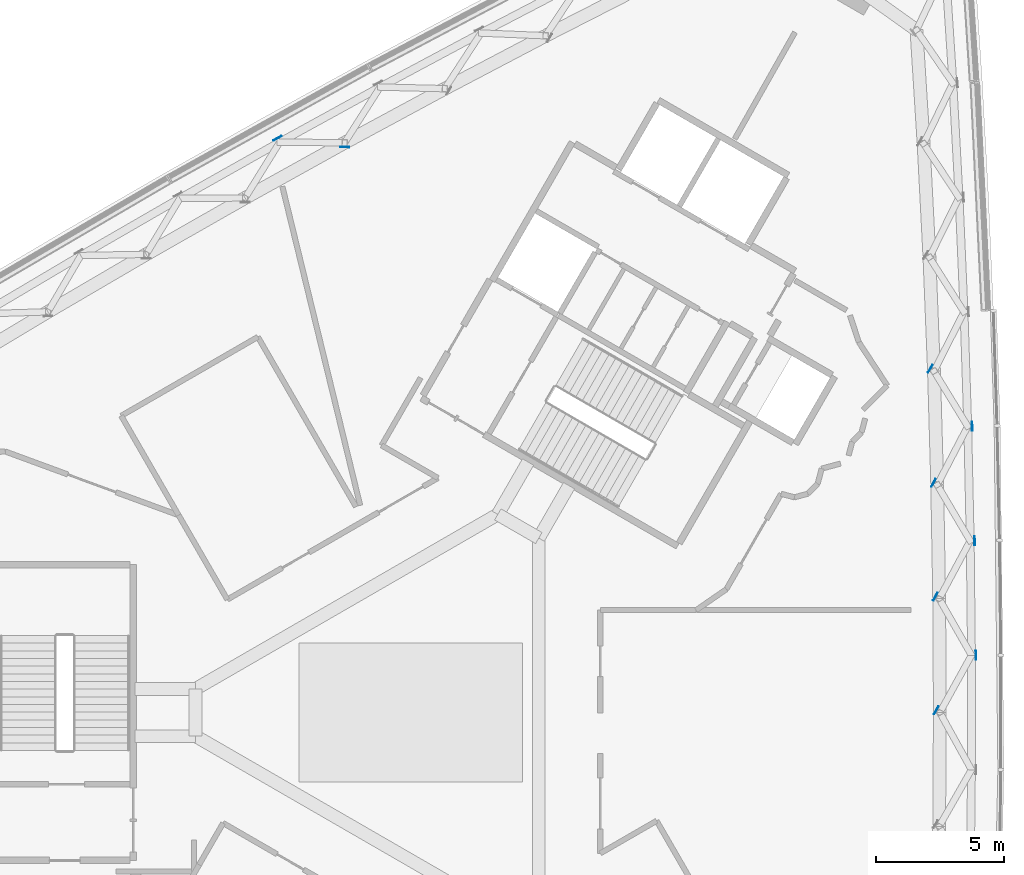
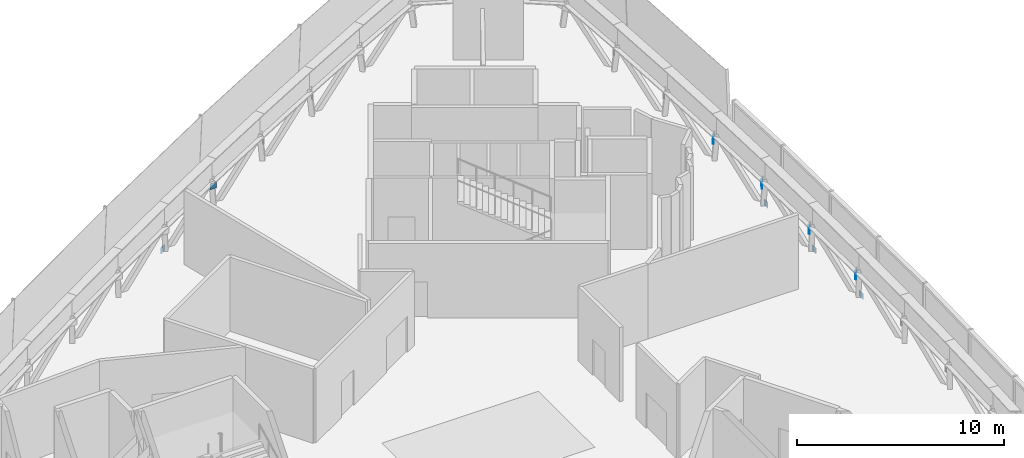
# One storey, part 10 of 19: 9 plates.
"""IFC4 building model written with IfcOpenShell, lengths in metres."""

from ifc_helpers import new_model, si_unit, direction, frame, origin, origin_2d, place, context, subcontext, project, spatial, rectangle, extrude, material, layer, layer_set, type_object, element, save


model = new_model("IFC4")

# Units and contexts
model_context = context("Model", 3, precision=1e-05, world=origin(), true_north=direction((0.0, 1.0)))
body_context = subcontext(model_context, "Body", "Model", "MODEL_VIEW")
ifc_project = project(units=[si_unit("LENGTHUNIT", "METRE"), si_unit("AREAUNIT", "SQUARE_METRE"), si_unit("VOLUMEUNIT", "CUBIC_METRE"), si_unit("PLANEANGLEUNIT", "RADIAN"), si_unit("MASSUNIT", "GRAM", prefix="KILO")], contexts=[model_context])

# Site, building, storey
site_placement = place(None, origin())
site = spatial("IfcSite", under=ifc_project, at=site_placement, CompositionType="ELEMENT")
building_placement = place(site_placement, origin())
building = spatial("IfcBuilding", under=site, at=building_placement, Name="Tamra Quay Hotel Tower", CompositionType="ELEMENT")
storey_placement = place(building_placement, frame((0.0, 0.0, 74.60009765625)))
storey = spatial("IfcBuildingStorey", under=building, at=storey_placement, Name="L17", CompositionType="ELEMENT", Elevation=74.60009765625)

# Plates
ifc_material = material(Name="Structural steel IS 2062 E350", Category="steel")
ifc_layer = layer(ifc_material, 0.030029296875)
ifc_layer_set = layer_set([ifc_layer], Name="BRACE END PLATE 30")
plate_type = type_object("IfcPlateType", Name="BRACE END PLATE 30", PredefinedType="SHEET", material=ifc_layer_set)
for number, where, z_axis, x_axis, name in (
    (1, (22.06787109375, 2.236572265625, -0.400146484375), (0.0, 0.0, 1.0), (0.999976726891, 0.006822439119, 0.0), "BEP-L17-008"),
    (2, (22.01953125, 6.708984375, -0.400146484375), (0.0, 0.0, 1.0), (0.999790798488, 0.02045383239, 0.0), "BEP-L17-009"),
    (3, (21.9228515625, 11.180419921875, -0.400146484375), (0.0, 0.0, 1.0), (0.999422741626, 0.033973276578, 0.0), "BEP-L17-010"),
    (4, (-5.19970703125, 22.424072265625, -0.400146484375), (0.0, 0.0, 1.0), (-0.482180331756, 0.87607198772, 0.0), "BEP-L17-020"),
    (5, (20.51513671875, 0.0830078125, 2.624755859375), (0.0, 0.0, 1.0), (-0.866025403784, 0.5, 0.0), "BEP-L17-049"),
    (6, (20.488525390625, 4.526123046875, 2.624755859375), (0.0, 0.0, 1.0), (-0.872520737299, 0.48857707988, 0.0), "BEP-L17-050"),
    (7, (20.4111328125, 8.96826171875, 2.624755859375), (0.0, 0.0, 1.0), (-0.878850422486, 0.477097406088, 0.0), "BEP-L17-051"),
    (8, (20.281005859375, 13.4208984375, 2.624755859375), (0.0, 0.0, 1.0), (-0.859451026968, 0.511218086773, 0.0), "BEP-L17-052"),
    (9, (-2.585205078125, 22.081787109375, 2.624755859375), (0.0, 0.0, 1.0), (0.026258950585, 0.999655174305, 0.0), "BEP-L17-060"),
):
    element("IfcPlate", number, at=place(storey_placement, frame(where, z_axis=z_axis, x_axis=x_axis)), inside=storey, type_object=plate_type, Name=name, PredefinedType="SHEET", context=body_context, shape_type="SweptSolid", body=[
        extrude(rectangle(XDim=0.030029296875, YDim=0.35009765625, at=origin_2d()), origin(), (0.0, 0.0, 1.0), 0.35009765625),
    ])

save(model, "model.ifc")
